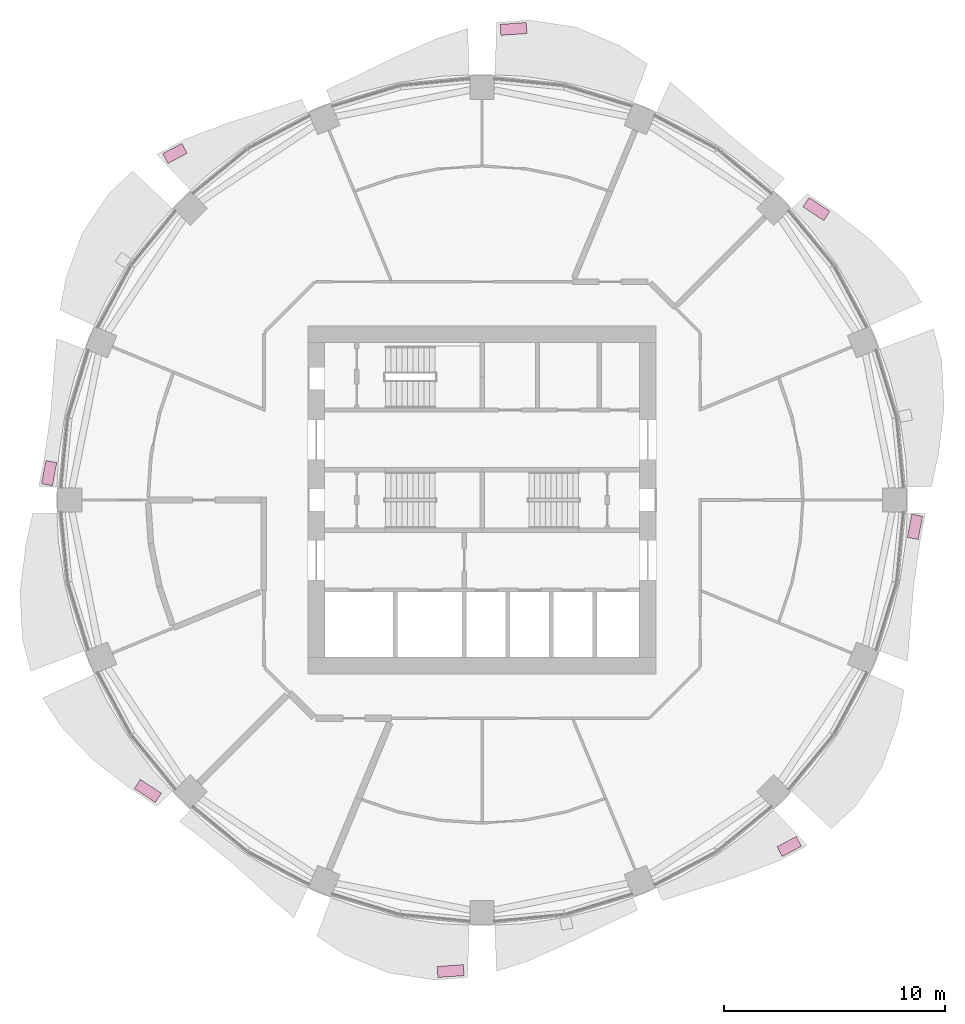
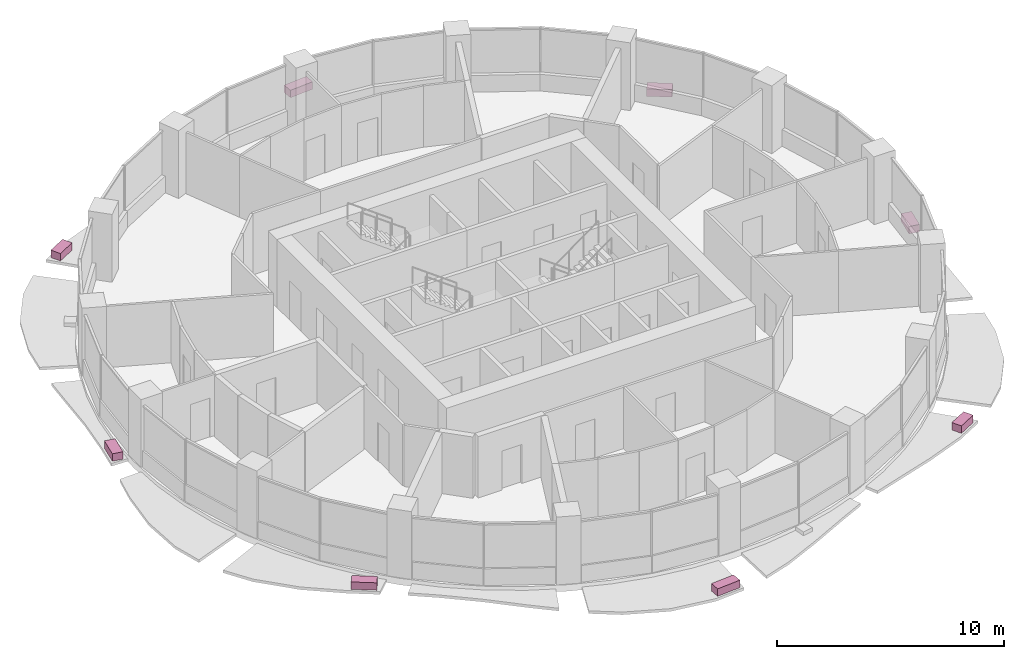
# One storey, part 14 of 14: 8 furniture elements.
"""IFC4 building model written with IfcOpenShell, lengths in metres."""

import ifcopenshell
import ifcopenshell.guid

model = None  # the IFC model being written
_history = None  # IfcOwnerHistory: only IFC2X3 demands one
_inside = {}  # id of a spatial element -> (the spatial element, [elements in it])
_under = {}  # id of a project, library or spatial element -> (it, [spatial elements below it])
_declared = {}  # id of a project -> (the project, [libraries it declares])
_typed = {}  # id of a type object -> (the type object, [elements of that type])
_made_of = {}  # id of a material, layer set ... -> (it, [elements and type objects made of it])


def new_model(schema):
    """Start an empty IFC model of exactly this schema.

    Asked for "IFC4X3", IfcOpenShell would pick the latest addendum, in which some entities
    have other attributes; the version numbers below select the first issue.
    IFC2X3 requires an IfcOwnerHistory on every rooted entity: one is made here for all.
    """
    global model, _history
    if schema == "IFC4X3":
        model = ifcopenshell.file(schema_version=(4, 3, 0, 0))
    else:
        model = ifcopenshell.file(schema=schema)
    _inside.clear()
    _under.clear()
    _declared.clear()
    _typed.clear()
    _made_of.clear()
    _history = None
    if model.schema == "IFC2X3":
        org = make("IfcOrganization", Name="unknown")
        user = make(
            "IfcPersonAndOrganization",
            ThePerson=make("IfcPerson", FamilyName="unknown"),
            TheOrganization=org,
        )
        app = make(
            "IfcApplication",
            ApplicationDeveloper=org,
            Version="unknown",
            ApplicationFullName="unknown",
            ApplicationIdentifier="unknown",
        )
        _history = make(
            "IfcOwnerHistory",
            OwningUser=user,
            OwningApplication=app,
            ChangeAction="ADDED",
            CreationDate=0,
        )
    return model


def make(cls, **values):
    """One entity of the class cls with the attributes given. An attribute that is None is left unset."""
    return model.create_entity(
        cls, **{name: value for name, value in values.items() if value is not None}
    )


def rooted(cls, **values):
    """An entity with a GlobalId (a new one), such as an element, a storey or a relation."""
    return make(cls, GlobalId=ifcopenshell.guid.new(), OwnerHistory=_history, **values)


def si_unit(unit_type, name, prefix=None):
    """IfcSIUnit, for example si_unit("LENGTHUNIT", "METRE", prefix="MILLI")."""
    return make("IfcSIUnit", UnitType=unit_type, Prefix=prefix, Name=name)


def assignment(units):
    """IfcUnitAssignment: the units of a project."""
    return None if units is None else make("IfcUnitAssignment", Units=units)


def point(xyz):
    """IfcCartesianPoint."""
    return None if xyz is None else make("IfcCartesianPoint", Coordinates=xyz)


def direction(xyz):
    """IfcDirection."""
    return None if xyz is None else make("IfcDirection", DirectionRatios=xyz)


def frame(location, z_axis=None, x_axis=None):
    """IfcAxis2Placement3D, a coordinate frame: its origin and axes. An axis left out is left unset."""
    return make(
        "IfcAxis2Placement3D",
        Location=point(location),
        Axis=direction(z_axis),
        RefDirection=direction(x_axis),
    )


def frame_2d(location, x_axis=None):
    """IfcAxis2Placement2D, a coordinate frame in the plane: its origin and x axis."""
    return make(
        "IfcAxis2Placement2D", Location=point(location), RefDirection=direction(x_axis)
    )


def origin():
    """The frame at (0, 0, 0) with its axes left unset."""
    return frame((0.0, 0.0, 0.0))


def origin_2d():
    """The frame at (0, 0) in the plane with its x axis left unset."""
    return frame_2d((0.0, 0.0))


def place(relative_to, where):
    """IfcLocalPlacement: puts the frame where relative to a parent placement (None: the world)."""
    return make(
        "IfcLocalPlacement", PlacementRelTo=relative_to, RelativePlacement=where
    )


def context(
    kind, dimensions, precision=None, world=None, true_north=None, identifier=None
):
    """IfcGeometricRepresentationContext, for example the 3D "Model" context."""
    return make(
        "IfcGeometricRepresentationContext",
        ContextIdentifier=identifier,
        ContextType=kind,
        CoordinateSpaceDimension=dimensions,
        Precision=precision,
        WorldCoordinateSystem=world,
        TrueNorth=true_north,
    )


def subcontext(parent, identifier, kind, view, scale=None):
    """IfcGeometricRepresentationSubContext, for example "Body" below "Model"."""
    return make(
        "IfcGeometricRepresentationSubContext",
        ContextIdentifier=identifier,
        ContextType=kind,
        ParentContext=parent,
        TargetScale=scale,
        TargetView=view,
    )


def project(units=None, contexts=None):
    """IfcProject with its units and contexts."""
    return rooted(
        "IfcProject",
        Name="project",
        RepresentationContexts=contexts,
        UnitsInContext=assignment(units),
    )


def spatial(cls, under=None, at=None, **own):
    """A site, building, storey or space (cls), placed at a placement, below another one or the project."""
    s = rooted(cls, ObjectPlacement=at, **own)
    if under is not None:
        _under.setdefault(under.id(), (under, []))[1].append(s)
    return s


def profile(cls, at=None, kind="AREA", **sizes):
    """A parametric profile (cls). Its sizes go by their IFC names, for example OverallWidth=200.0."""
    return make(cls, ProfileType=kind, Position=at, **sizes)


def rectangle(**sizes):
    """IfcRectangleProfileDef."""
    return profile("IfcRectangleProfileDef", **sizes)


def extrude(swept, where, along, depth):
    """IfcExtrudedAreaSolid: the profile swept, set in the frame where, extruded along a direction by depth."""
    return make(
        "IfcExtrudedAreaSolid",
        SweptArea=swept,
        Position=where,
        ExtrudedDirection=direction(along),
        Depth=depth,
    )


def shape(context_of_items, identifier, shape_type, items):
    """IfcShapeRepresentation: the items that make up one representation, for example the "Body"."""
    return make(
        "IfcShapeRepresentation",
        ContextOfItems=context_of_items,
        RepresentationIdentifier=identifier,
        RepresentationType=shape_type,
        Items=items,
    )


def material(Name=None, Category=None):
    """IfcMaterial."""
    return make("IfcMaterial", Name=Name, Category=Category)


def made_of(thing, what):
    """Note that an element or type object is made of a material, layer set ...; save() writes the relation."""
    if what is not None:
        _made_of.setdefault(what.id(), (what, []))[1].append(thing)
    return thing


def type_object(cls, material=None, **own):
    """A type object (cls), such as IfcWallType, which elements share."""
    return made_of(rooted(cls, **own), material)


def element(
    cls,
    number,
    at=None,
    inside=None,
    cuts=None,
    type_object=None,
    material=None,
    context=None,
    identifier="Body",
    shape_type=None,
    held_by="IfcProductDefinitionShape",
    body=None,
    shapes=None,
    **own,
):
    """One element of the class cls, such as IfcWall. Its Tag is "e" and its number.

    at: its placement. inside: the storey or other place that contains it. cuts: it is an
    opening in that element (IfcRelVoidsElement). A single representation is given by context,
    identifier, shape_type and body (its items); several are given by shapes. held_by: the class
    of the entity that holds the representations. save() writes the other relations.
    """
    e = rooted(cls, Tag="e%d" % number, ObjectPlacement=at, **own)
    if body is not None:
        shapes = [shape(context, identifier, shape_type, body)]
    if shapes is not None:
        e.Representation = make(held_by, Representations=shapes)
    if inside is not None:
        _inside.setdefault(inside.id(), (inside, []))[1].append(e)
    if cuts is not None:
        rooted(
            "IfcRelVoidsElement", RelatingBuildingElement=cuts, RelatedOpeningElement=e
        )
    if type_object is not None:
        _typed.setdefault(type_object.id(), (type_object, []))[1].append(e)
    return made_of(e, material)


def aggregate(whole, parts):
    """IfcRelAggregates: a whole, such as a stair, and the parts it consists of."""
    return rooted("IfcRelAggregates", RelatingObject=whole, RelatedObjects=parts)


def save(model, path):
    """Write the relations noted so far, then the file.

    IfcRelAggregates (storeys below a building ...), IfcRelContainedInSpatialStructure (elements
    in a storey), IfcRelDefinesByType, IfcRelAssociatesMaterial and IfcRelDeclares: one each for
    every whole, place, type object, material and project.
    """
    for whole, parts in _under.values():
        aggregate(whole, parts)
    for where, things in _inside.values():
        rooted(
            "IfcRelContainedInSpatialStructure",
            RelatedElements=things,
            RelatingStructure=where,
        )
    for kind, things in _typed.values():
        rooted("IfcRelDefinesByType", RelatedObjects=things, RelatingType=kind)
    for what, things in _made_of.values():
        rooted("IfcRelAssociatesMaterial", RelatedObjects=things, RelatingMaterial=what)
    for by, libraries in _declared.values():
        rooted("IfcRelDeclares", RelatingContext=by, RelatedDefinitions=libraries)
    model.write(path)


model = new_model("IFC4")

# Units and contexts
model_context = context("Model", 3, precision=1e-05, world=origin(), true_north=direction((0.0, 1.0)))
body_context = subcontext(model_context, "Body", "Model", "MODEL_VIEW")
ifc_project = project(units=[si_unit("LENGTHUNIT", "METRE"), si_unit("AREAUNIT", "SQUARE_METRE"), si_unit("VOLUMEUNIT", "CUBIC_METRE"), si_unit("PLANEANGLEUNIT", "RADIAN"), si_unit("MASSUNIT", "GRAM", prefix="KILO")], contexts=[model_context])

# Site, building, storey
site_placement = place(None, origin())
site = spatial("IfcSite", under=ifc_project, at=site_placement, CompositionType="ELEMENT")
building_placement = place(site_placement, origin())
building = spatial("IfcBuilding", under=site, at=building_placement, Name="Polderwave Tower", CompositionType="ELEMENT")
storey_placement = place(building_placement, frame((0.0, 0.0, 94.64990234375)))
storey = spatial("IfcBuildingStorey", under=building, at=storey_placement, Name="L24", CompositionType="ELEMENT", Elevation=94.64990234375)

# Furniture
ifc_material = material(Name="Terracotta", Category="masonry")
furniture_type = type_object("IfcFurnitureType", Name="Terracotta planting trough", AssemblyPlace="NOTDEFINED", PredefinedType="USERDEFINED", material=ifc_material)
furniture_1_placement = place(storey_placement, frame((15.130126953125, 13.169189453125, -0.199951171875), z_axis=(0.0, 0.0, 1.0), x_axis=(-0.834838255435, 0.550495310845, 0.0)))
element("IfcFurniture", 1, at=furniture_1_placement, inside=storey, type_object=furniture_type, Name="Planting trough L24 2", ObjectType="PLANTER", PredefinedType="USERDEFINED", context=body_context, shape_type="SweptSolid", body=[
    extrude(rectangle(XDim=1.134765625, YDim=0.5, at=origin_2d()), origin(), (0.0, 0.0, 1.0), 0.39990234375),
])
furniture_2_placement = place(storey_placement, frame((1.42431640625, 21.322265625, -0.199951171875), z_axis=(0.0, 0.0, 1.0), x_axis=(-0.997199118431, -0.074792500967, 0.0)))
element("IfcFurniture", 2, at=furniture_2_placement, inside=storey, type_object=furniture_type, Name="Planting trough L24 4", ObjectType="PLANTER", PredefinedType="USERDEFINED", context=body_context, shape_type="SweptSolid", body=[
    extrude(rectangle(XDim=1.18798828125, YDim=0.5, at=origin_2d()), origin(), (0.0, 0.0, 1.0), 0.39990234375),
])
furniture_3_placement = place(storey_placement, frame((-13.90234375, 15.68505859375, -0.199951171875), z_axis=(0.0, 0.0, 1.0), x_axis=(-0.881817577467, -0.471590670041, 0.0)))
element("IfcFurniture", 3, at=furniture_3_placement, inside=storey, type_object=furniture_type, Name="Planting trough L24 6", ObjectType="PLANTER", PredefinedType="USERDEFINED", context=body_context, shape_type="SweptSolid", body=[
    extrude(rectangle(XDim=0.984619140625, YDim=0.5, at=origin_2d()), origin(), (0.0, 0.0, 1.0), 0.39990234375),
])
furniture_4_placement = place(storey_placement, frame((-19.594970703125, 1.21533203125, -0.199951171875), z_axis=(0.0, 0.0, 1.0), x_axis=(-0.185524269861, -0.982639682332, 0.0)))
element("IfcFurniture", 4, at=furniture_4_placement, inside=storey, type_object=furniture_type, Name="Planting trough L24 8", ObjectType="PLANTER", PredefinedType="USERDEFINED", context=body_context, shape_type="SweptSolid", body=[
    extrude(rectangle(XDim=1.06591796875, YDim=0.5, at=origin_2d()), origin(), (0.0, 0.0, 1.0), 0.39990234375),
])
furniture_5_placement = place(storey_placement, frame((-15.130126953125, -13.169189453125, -0.199951171875), z_axis=(0.0, 0.0, 1.0), x_axis=(0.834838255435, -0.550495310845, 0.0)))
element("IfcFurniture", 5, at=furniture_5_placement, inside=storey, type_object=furniture_type, Name="Planting trough L24 10", ObjectType="PLANTER", PredefinedType="USERDEFINED", context=body_context, shape_type="SweptSolid", body=[
    extrude(rectangle(XDim=1.134765625, YDim=0.5, at=origin_2d()), origin(), (0.0, 0.0, 1.0), 0.39990234375),
])
furniture_6_placement = place(storey_placement, frame((-1.42431640625, -21.322265625, -0.199951171875), z_axis=(0.0, 0.0, 1.0), x_axis=(0.997199118431, 0.074792500967, 0.0)))
element("IfcFurniture", 6, at=furniture_6_placement, inside=storey, type_object=furniture_type, Name="Planting trough L24 12", ObjectType="PLANTER", PredefinedType="USERDEFINED", context=body_context, shape_type="SweptSolid", body=[
    extrude(rectangle(XDim=1.18798828125, YDim=0.5, at=origin_2d()), origin(), (0.0, 0.0, 1.0), 0.39990234375),
])
furniture_7_placement = place(storey_placement, frame((13.90234375, -15.68505859375, -0.199951171875), z_axis=(0.0, 0.0, 1.0), x_axis=(0.881817577467, 0.471590670041, 0.0)))
element("IfcFurniture", 7, at=furniture_7_placement, inside=storey, type_object=furniture_type, Name="Planting trough L24 14", ObjectType="PLANTER", PredefinedType="USERDEFINED", context=body_context, shape_type="SweptSolid", body=[
    extrude(rectangle(XDim=0.984619140625, YDim=0.5, at=origin_2d()), origin(), (0.0, 0.0, 1.0), 0.39990234375),
])
furniture_8_placement = place(storey_placement, frame((19.594970703125, -1.21533203125, -0.199951171875), z_axis=(0.0, 0.0, 1.0), x_axis=(0.185524269861, 0.982639682332, 0.0)))
element("IfcFurniture", 8, at=furniture_8_placement, inside=storey, type_object=furniture_type, Name="Planting trough L24 16", ObjectType="PLANTER", PredefinedType="USERDEFINED", context=body_context, shape_type="SweptSolid", body=[
    extrude(rectangle(XDim=1.06591796875, YDim=0.5, at=origin_2d()), origin(), (0.0, 0.0, 1.0), 0.39990234375),
])

save(model, "model.ifc")
